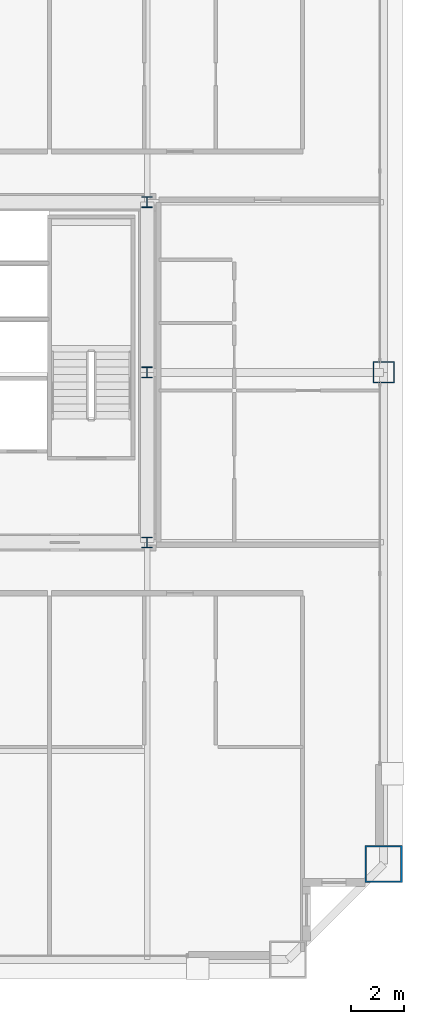
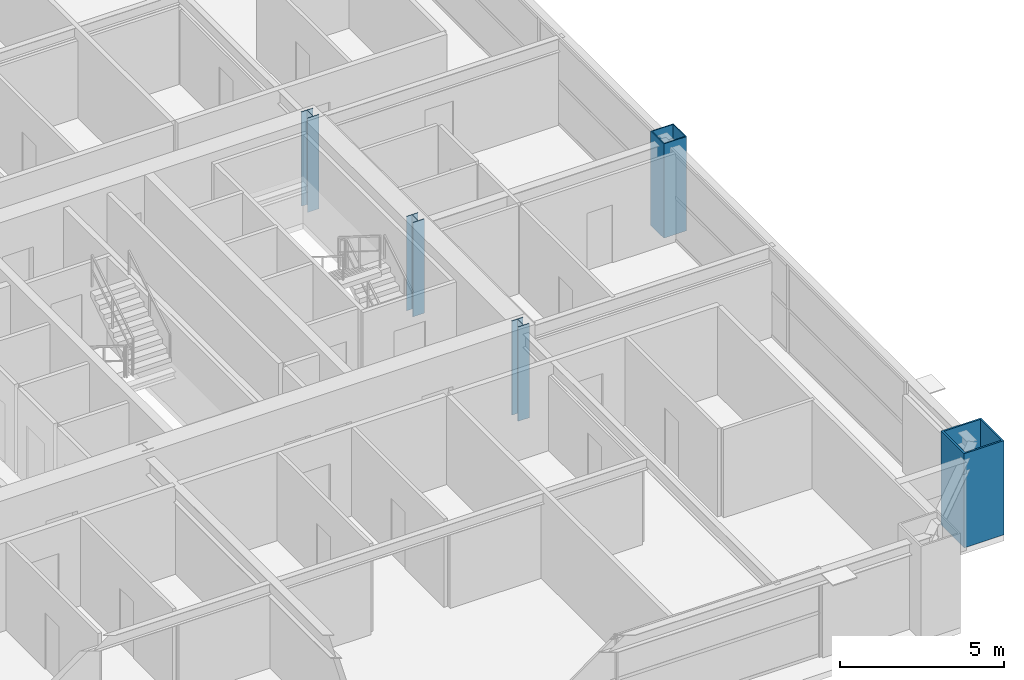
# One storey, part 2 of 38: 5 columns.
"""IFC4 building model written with IfcOpenShell, lengths in metres."""

from ifc_helpers import new_model, si_unit, direction, frame, origin, origin_2d, place, context, subcontext, project, spatial, hollow_rectangle, i_section, extrude, source, transform, mapped, material, material_profile, profile_set, type_object, element, save


model = new_model("IFC4")

# Units and contexts
model_context = context("Model", 3, precision=1e-05, world=origin(), true_north=direction((0.0, 1.0)))
body_context = subcontext(model_context, "Body", "Model", "MODEL_VIEW")
ifc_project = project(units=[si_unit("LENGTHUNIT", "METRE"), si_unit("AREAUNIT", "SQUARE_METRE"), si_unit("VOLUMEUNIT", "CUBIC_METRE"), si_unit("PLANEANGLEUNIT", "RADIAN"), si_unit("MASSUNIT", "GRAM", prefix="KILO"), si_unit("THERMODYNAMICTEMPERATUREUNIT", "KELVIN"), si_unit("POWERUNIT", "WATT")], contexts=[model_context])

# Site, building, storey
site_placement = place(None, origin())
site = spatial("IfcSite", under=ifc_project, at=site_placement, CompositionType="ELEMENT")
building_placement = place(site_placement, origin())
building = spatial("IfcBuilding", under=site, at=building_placement, Name="Yuzanri Waterfront Tower", CompositionType="ELEMENT")
storey_placement = place(building_placement, frame((0.0, 0.0, 181.0)))
storey = spatial("IfcBuildingStorey", under=building, at=storey_placement, Name="L47", CompositionType="ELEMENT", Elevation=181.0)

# Columns
ifc_material_1 = material(Name="Steel Q355B", Category="steel")
ifc_material_profile_1 = material_profile(ifc_material_1, i_section(OverallWidth=0.39990234375, OverallDepth=0.39990234375, WebThickness=0.012939453125, FlangeThickness=0.02099609375, at=origin_2d()), Name="HW 400x400x13x21")
ifc_profile_set_1 = profile_set([ifc_material_profile_1], Name="Steel Q355B")
column_type_1 = type_object("IfcColumnType", Name="Core Post Q355B HW 400x400x13x21", PredefinedType="COLUMN", material=ifc_profile_set_1)
shared_shape_1 = source(origin(), body_context, "Body", "SweptSolid", [
    extrude(i_section(OverallWidth=0.39990234375, OverallDepth=0.39990234375, WebThickness=0.012939453125, FlangeThickness=0.02099609375, at=origin_2d()), origin(), (0.0, 0.0, 1.0), 3.5),
])
for number, where, z_axis, x_axis, name in (
    (1, (50.199951171875, 19.39990234375, 0.0), (0.0, 0.0, 1.0), (1.0, 0.0, 0.0), "L47 Core Boundary Column CP3"),
    (2, (50.199951171875, 25.800048828125, 0.0), (0.0, 0.0, 1.0), (1.0, 0.0, 0.0), "L47 Core Boundary Column CP5"),
    (3, (50.199951171875, 32.199951171875, 0.0), (0.0, 0.0, 1.0), (1.0, 0.0, 0.0), "L47 Core Boundary Column CP8"),
):
    element("IfcColumn", number, at=place(storey_placement, frame(where, z_axis=z_axis, x_axis=x_axis)), inside=storey, type_object=column_type_1, Name=name, PredefinedType="COLUMN", context=body_context, shape_type="MappedRepresentation", body=[
        mapped(shared_shape_1, transform((0.0, 0.0, 0.0), scale=1.0)),
    ])
ifc_material_2 = material(Name="Steel Q420GJC", Category="steel")
ifc_material_profile_2 = material_profile(ifc_material_2, hollow_rectangle(XDim=1.39990234375, YDim=1.39990234375, WallThickness=0.06005859375, at=origin_2d()), Name="RHS 1400x1400x60")
ifc_profile_set_2 = profile_set([ifc_material_profile_2], Name="Steel Q420GJC")
column_type_2 = type_object("IfcColumnType", Name="Mega Column Q420GJC RHS 1400x1400x60", PredefinedType="COLUMN", material=ifc_profile_set_2)
shared_shape_2 = source(origin(), body_context, "Body", "SweptSolid", [
    extrude(hollow_rectangle(XDim=1.39990234375, YDim=1.39990234375, WallThickness=0.06005859375, at=origin_2d()), origin(), (0.0, 0.0, 1.0), 3.5),
])
column_1_placement = place(storey_placement, frame((59.10009765625, 7.300048828125, 0.0), z_axis=(0.0, 0.0, 1.0), x_axis=(1.0, 0.0, 0.0)))
element("IfcColumn", 4, at=column_1_placement, inside=storey, type_object=column_type_2, Name="L47 Perimeter Mega Column E1", PredefinedType="COLUMN", context=body_context, shape_type="MappedRepresentation", body=[
    mapped(shared_shape_2, transform((0.0, 0.0, 0.0), scale=1.0)),
])
ifc_material_3 = material(Name="Steel Q390GJC", Category="steel")
ifc_material_profile_3 = material_profile(ifc_material_3, hollow_rectangle(XDim=0.800048828125, YDim=0.800048828125, WallThickness=0.035888671875, at=origin_2d()), Name="RHS 800x800x36")
ifc_profile_set_3 = profile_set([ifc_material_profile_3], Name="Steel Q390GJC")
column_type_3 = type_object("IfcColumnType", Name="Frame Column Q390GJC RHS 800x800x36", PredefinedType="COLUMN", material=ifc_profile_set_3)
shared_shape_3 = source(origin(), body_context, "Body", "SweptSolid", [
    extrude(hollow_rectangle(XDim=0.800048828125, YDim=0.800048828125, WallThickness=0.035888671875, at=origin_2d()), origin(), (0.0, 0.0, 1.0), 3.5),
])
column_2_placement = place(storey_placement, frame((59.10009765625, 25.800048828125, 0.0), z_axis=(0.0, 0.0, 1.0), x_axis=(1.0, 0.0, 0.0)))
element("IfcColumn", 5, at=column_2_placement, inside=storey, type_object=column_type_3, Name="L47 Perimeter Frame Column E2", PredefinedType="COLUMN", context=body_context, shape_type="MappedRepresentation", body=[
    mapped(shared_shape_3, transform((0.0, 0.0, 0.0), scale=1.0)),
])

save(model, "model.ifc")
